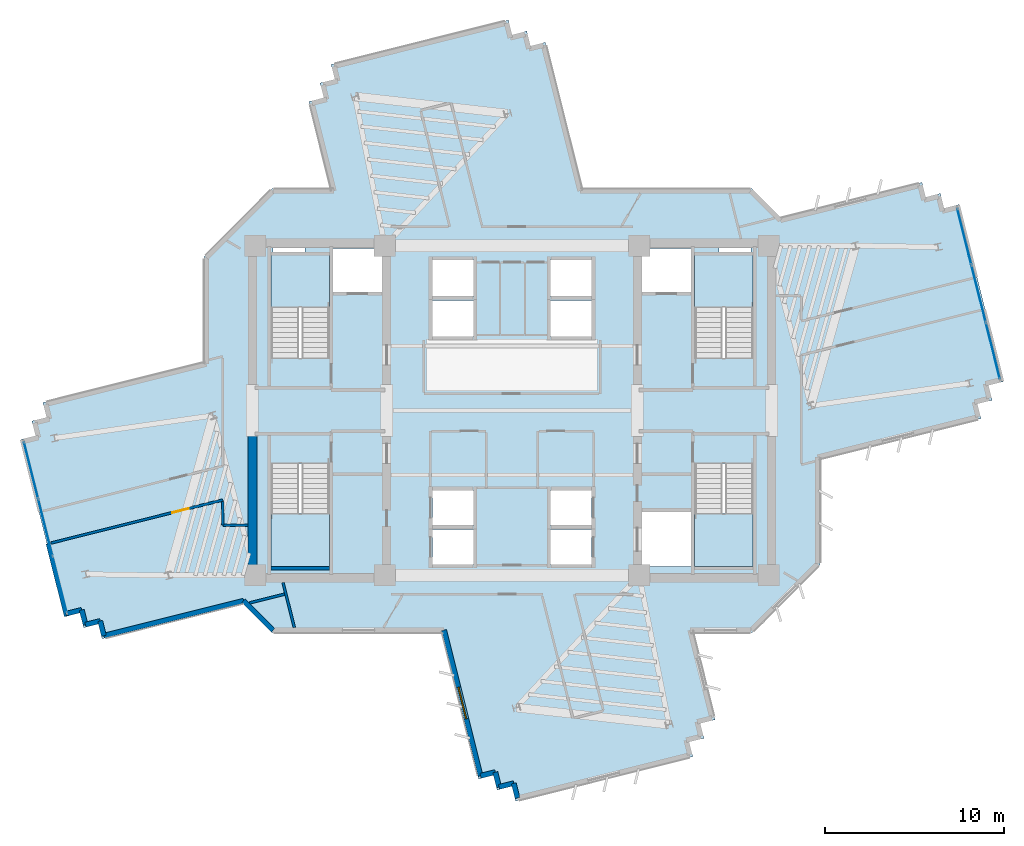
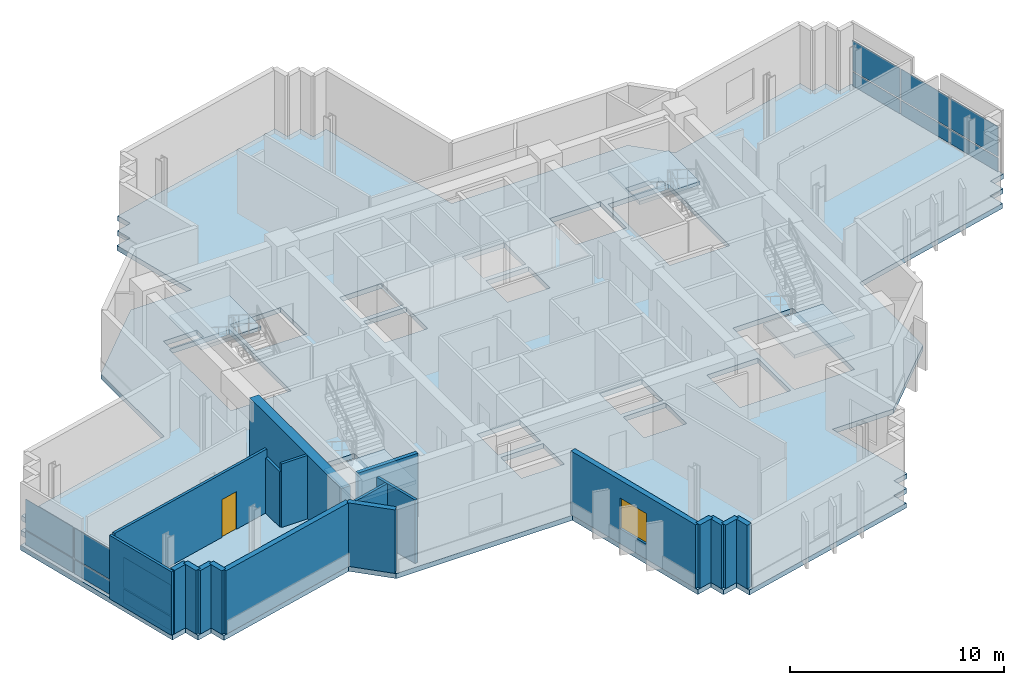
# One storey, part 5 of 13: 19 walls, 12 plates, 5 slabs, 1 door, 1 window, 2 openings, 6 elements without a shape of their own.
"""IFC4 building model written with IfcOpenShell, lengths in metres."""

from ifc_helpers import new_model, si_unit, direction, frame, frame_2d, origin, origin_2d, place, context, subcontext, project, spatial, polyline, rectangle, outline, extrude, source, transform, mapped, material, layer, layer_set, type_object, element, fill, aggregate, save


model = new_model("IFC4")

# Units and contexts
model_context = context("Model", 3, precision=1e-05, world=origin(), true_north=direction((0.0, 1.0)))
body_context = subcontext(model_context, "Body", "Model", "MODEL_VIEW")
ifc_project = project(units=[si_unit("LENGTHUNIT", "METRE"), si_unit("AREAUNIT", "SQUARE_METRE"), si_unit("VOLUMEUNIT", "CUBIC_METRE"), si_unit("PLANEANGLEUNIT", "RADIAN"), si_unit("MASSUNIT", "GRAM", prefix="KILO")], contexts=[model_context])

# Site, building, storey
site_placement = place(None, origin())
site = spatial("IfcSite", under=ifc_project, at=site_placement, CompositionType="ELEMENT")
building_placement = place(site_placement, origin())
building = spatial("IfcBuilding", under=site, at=building_placement, Name="Zahravan Cultural Tower", CompositionType="ELEMENT")
storey_placement = place(building_placement, frame((0.0, 0.0, 190.199951171875)))
storey = spatial("IfcBuildingStorey", under=building, at=storey_placement, Name="L44", CompositionType="ELEMENT", Elevation=190.199951171875)

# Slab
ifc_material_1 = material(Name="Concrete C45/55", Category="concrete")
ifc_layer_1 = layer(ifc_material_1, 0.280029296875)
ifc_layer_set_1 = layer_set([ifc_layer_1], Name="Concrete C45/55")
slab_type_1 = type_object("IfcSlabType", Name="SL-LIB-280", PredefinedType="FLOOR", material=ifc_layer_set_1)
slab_1_placement = place(storey_placement, frame((0.0, 0.0, -0.280029296875)))
element("IfcSlab", 1, at=slab_1_placement, inside=storey, type_object=slab_type_1, Name="L44 Structural Floor Slab", PredefinedType="FLOOR", context=body_context, shape_type="SweptSolid", body=[
    extrude(outline(polyline([(51.026611328125, 37.773193359375), (49.39990234375, 39.39990234375), (39.904541015625, 39.39990234375), (37.85888671875, 47.56787109375), (37.034423828125, 47.361328125), (36.827880859375, 48.185791015625), (36.00341796875, 47.979248046875), (35.796875, 48.803955078125), (25.902587890625, 46.325927734375), (26.10888671875, 45.50146484375), (25.284423828125, 45.294921875), (25.490966796875, 44.47021484375), (24.66650390625, 44.263916015625), (25.884521484375, 39.39990234375), (22.60009765625, 39.39990234375), (18.800048828125, 35.60009765625), (18.800048828125, 29.702392578125), (9.805908203125, 27.449951171875), (10.012451171875, 26.62548828125), (9.18798828125, 26.4189453125), (9.394287109375, 25.594482421875), (8.56982421875, 25.387939453125), (11.0478515625, 15.493408203125), (11.872314453125, 15.699951171875), (12.078857421875, 14.87548828125), (12.9033203125, 15.081787109375), (13.10986328125, 14.25732421875), (20.973388671875, 16.226806640625), (22.60009765625, 14.60009765625), (32.095458984375, 14.60009765625), (34.14111328125, 6.43212890625), (34.965576171875, 6.638671875), (35.172119140625, 5.814208984375), (35.99658203125, 6.020751953125), (36.203125, 5.196044921875), (46.097412109375, 7.674072265625), (45.89111328125, 8.49853515625), (46.715576171875, 8.705078125), (46.509033203125, 9.52978515625), (47.33349609375, 9.736083984375), (46.115478515625, 14.60009765625), (49.39990234375, 14.60009765625), (53.199951171875, 18.39990234375), (53.199951171875, 24.297607421875), (62.194091796875, 26.550048828125), (61.987548828125, 27.37451171875), (62.81201171875, 27.5810546875), (62.605712890625, 28.405517578125), (63.43017578125, 28.612060546875), (60.9521484375, 38.506591796875), (60.127685546875, 38.300048828125), (59.921142578125, 39.12451171875), (59.0966796875, 38.918212890625), (58.89013671875, 39.74267578125), (51.026611328125, 37.773193359375)]), holes=[polyline([(22.550048828125, 29.949951171875), (22.550048828125, 35.699951171875), (25.800048828125, 35.699951171875), (25.800048828125, 29.949951171875), (22.550048828125, 29.949951171875)]), polyline([(22.550048828125, 18.300048828125), (22.550048828125, 24.050048828125), (25.800048828125, 24.050048828125), (25.800048828125, 18.300048828125), (22.550048828125, 18.300048828125)]), polyline([(46.199951171875, 29.949951171875), (46.199951171875, 35.699951171875), (49.449951171875, 35.699951171875), (49.449951171875, 29.949951171875), (46.199951171875, 29.949951171875)]), polyline([(46.199951171875, 18.300048828125), (46.199951171875, 24.050048828125), (49.449951171875, 24.050048828125), (49.449951171875, 18.300048828125), (46.199951171875, 18.300048828125)]), polyline([(26.0, 33.60009765625), (26.0, 36.050048828125), (28.75, 36.050048828125), (28.75, 33.60009765625), (26.0, 33.60009765625)]), polyline([(43.25, 33.60009765625), (43.25, 36.050048828125), (46.0, 36.050048828125), (46.0, 33.60009765625), (43.25, 33.60009765625)]), polyline([(43.25, 18.300048828125), (43.25, 21.35009765625), (46.0, 21.35009765625), (46.0, 18.300048828125), (43.25, 18.300048828125)]), polyline([(31.550048828125, 33.39990234375), (31.550048828125, 35.39990234375), (33.85009765625, 35.39990234375), (33.85009765625, 33.39990234375), (31.550048828125, 33.39990234375)]), polyline([(31.550048828125, 31.14990234375), (31.550048828125, 33.14990234375), (33.85009765625, 33.14990234375), (33.85009765625, 31.14990234375), (31.550048828125, 31.14990234375)]), polyline([(38.14990234375, 33.39990234375), (38.14990234375, 35.39990234375), (40.449951171875, 35.39990234375), (40.449951171875, 33.39990234375), (38.14990234375, 33.39990234375)]), polyline([(38.14990234375, 31.14990234375), (38.14990234375, 33.14990234375), (40.449951171875, 33.14990234375), (40.449951171875, 31.14990234375), (38.14990234375, 31.14990234375)]), polyline([(31.550048828125, 20.60009765625), (31.550048828125, 22.550048828125), (33.85009765625, 22.550048828125), (33.85009765625, 20.60009765625), (31.550048828125, 20.60009765625)]), polyline([(31.550048828125, 18.39990234375), (31.550048828125, 20.35009765625), (33.85009765625, 20.35009765625), (33.85009765625, 18.39990234375), (31.550048828125, 18.39990234375)]), polyline([(38.14990234375, 20.60009765625), (38.14990234375, 22.550048828125), (40.449951171875, 22.550048828125), (40.449951171875, 20.60009765625), (38.14990234375, 20.60009765625)]), polyline([(38.14990234375, 18.39990234375), (38.14990234375, 20.35009765625), (40.449951171875, 20.35009765625), (40.449951171875, 18.39990234375), (38.14990234375, 18.39990234375)]), polyline([(22.64990234375, 35.800048828125), (22.64990234375, 36.419921875), (24.449951171875, 36.419921875), (24.449951171875, 35.800048828125), (22.64990234375, 35.800048828125)]), polyline([(47.550048828125, 35.800048828125), (47.550048828125, 36.419921875), (49.35009765625, 36.419921875), (49.35009765625, 35.800048828125), (47.550048828125, 35.800048828125)])]), origin(), (0.0, 0.0, 1.0), 0.280029296875),
])

# Stair, slab
stair_type = type_object("IfcStairType", Name="STR-DL-1550-390", PredefinedType="HALF_TURN_STAIR", material=ifc_material_1)
stair_1_placement = place(storey_placement, origin())
stair_1 = element("IfcStair", 2, at=stair_1_placement, inside=storey, type_object=stair_type, Name="L44 West Core North Exit Stair ST-W1", PredefinedType="HALF_TURN_STAIR")
ifc_layer_2 = layer(ifc_material_1, 0.199951171875)
ifc_layer_set_2 = layer_set([ifc_layer_2], Name="Concrete C45/55")
slab_type_2 = type_object("IfcSlabType", Name="SL-STAIR-LND200", PredefinedType="LANDING", material=ifc_layer_set_2)
slab_2_placement = place(storey_placement, frame((0.0, 0.0, 1.75)))
slab_2 = element("IfcSlab", 3, at=slab_2_placement, type_object=slab_type_2, Name="ST-W1 landing 1", PredefinedType="LANDING", context=body_context, shape_type="SweptSolid", body=[
    extrude(outline(polyline([(25.800048828125, 32.75), (25.800048828125, 35.699951171875), (22.550048828125, 35.699951171875), (22.550048828125, 32.75), (25.800048828125, 32.75)])), origin(), (0.0, 0.0, 1.0), 0.199951171875),
])
aggregate(stair_1, [slab_2])

stair_2_placement = place(storey_placement, origin())
stair_2 = element("IfcStair", 4, at=stair_2_placement, inside=storey, type_object=stair_type, Name="L44 West Core South Exit Stair ST-W2", PredefinedType="HALF_TURN_STAIR")
slab_3_placement = place(storey_placement, frame((0.0, 0.0, 1.75)))
slab_3 = element("IfcSlab", 5, at=slab_3_placement, type_object=slab_type_2, Name="ST-W2 landing 1", PredefinedType="LANDING", context=body_context, shape_type="SweptSolid", body=[
    extrude(outline(polyline([(22.550048828125, 21.25), (22.550048828125, 18.300048828125), (25.800048828125, 18.300048828125), (25.800048828125, 21.25), (22.550048828125, 21.25)])), origin(), (0.0, 0.0, 1.0), 0.199951171875),
])
aggregate(stair_2, [slab_3])

stair_3_placement = place(storey_placement, origin())
stair_3 = element("IfcStair", 6, at=stair_3_placement, inside=storey, type_object=stair_type, Name="L44 East Core North Exit Stair ST-E1", PredefinedType="HALF_TURN_STAIR")
slab_4_placement = place(storey_placement, frame((0.0, 0.0, 1.75)))
slab_4 = element("IfcSlab", 7, at=slab_4_placement, type_object=slab_type_2, Name="ST-E1 landing 1", PredefinedType="LANDING", context=body_context, shape_type="SweptSolid", body=[
    extrude(outline(polyline([(49.449951171875, 32.75), (49.449951171875, 35.699951171875), (46.199951171875, 35.699951171875), (46.199951171875, 32.75), (49.449951171875, 32.75)])), origin(), (0.0, 0.0, 1.0), 0.199951171875),
])
aggregate(stair_3, [slab_4])

stair_4_placement = place(storey_placement, origin())
stair_4 = element("IfcStair", 8, at=stair_4_placement, inside=storey, type_object=stair_type, Name="L44 East Core South Exit Stair ST-E2", PredefinedType="HALF_TURN_STAIR")
slab_5_placement = place(storey_placement, frame((0.0, 0.0, 1.75)))
slab_5 = element("IfcSlab", 9, at=slab_5_placement, type_object=slab_type_2, Name="ST-E2 landing 1", PredefinedType="LANDING", context=body_context, shape_type="SweptSolid", body=[
    extrude(outline(polyline([(46.199951171875, 21.25), (46.199951171875, 18.300048828125), (49.449951171875, 18.300048828125), (49.449951171875, 21.25), (46.199951171875, 21.25)])), origin(), (0.0, 0.0, 1.0), 0.199951171875),
])
aggregate(stair_4, [slab_5])

# Curtain wall, plates
ifc_material_2 = material(Name="Anodised bronze-aluminium mullion", Category="aluminium")
ifc_layer_3 = layer(ifc_material_2, 0.199951171875)
ifc_layer_set_3 = layer_set([ifc_layer_3], Name="Anodised bronze-aluminium mullion")
curtain_wall_type_1 = type_object("IfcCurtainWallType", Name="CW-SYS-2", PredefinedType="USERDEFINED", material=ifc_layer_set_3)
curtain_wall_1_placement = place(storey_placement, origin())
curtain_wall_1 = element("IfcCurtainWall", 10, at=curtain_wall_1_placement, inside=storey, type_object=curtain_wall_type_1, Name="L44 Recessed Curtain Wall CW-2.1", ObjectType="RECESSED GLAZING", PredefinedType="USERDEFINED")
ifc_material_3 = material(Name="Low-E solar-control double glazing", Category="glass")
ifc_layer_4 = layer(ifc_material_3, 0.030029296875)
ifc_layer_set_4 = layer_set([ifc_layer_4], Name="Low-E solar-control double glazing")
plate_type_1 = type_object("IfcPlateType", Name="CWP-CW-2", PredefinedType="CURTAIN_PANEL", material=ifc_layer_set_4)
shared_shape_1 = source(origin(), body_context, "Body", "SweptSolid", [
    extrude(rectangle(XDim=3.194091796875, YDim=0.030029296875, at=origin_2d()), origin(), (0.0, 0.0, 1.0), 0.78759765625),
])
plate_1_placement = place(storey_placement, frame((61.256591796875, 36.714599609375, 0.074951171875), z_axis=(0.0, 0.0, 1.0), x_axis=(0.242943573269, -0.970040421945, 0.0)))
plate_1 = element("IfcPlate", 11, at=plate_1_placement, type_object=plate_type_1, Name="CW-2 panel 1.1", PredefinedType="CURTAIN_PANEL", context=body_context, shape_type="MappedRepresentation", body=[
    mapped(shared_shape_1, transform((0.0, 0.0, 0.0), x_axis=(1.0, 0.0, 0.0), y_axis=(0.0, 1.0, 0.0), z_axis=(0.0, 0.0, 1.0), scale=1.0)),
])
plate_2_placement = place(storey_placement, frame((62.85400390625, 30.3359375, 0.074951171875), z_axis=(0.0, 0.0, 1.0), x_axis=(0.242943573269, -0.970040421945, 0.0)))
plate_2 = element("IfcPlate", 12, at=plate_2_placement, type_object=plate_type_1, Name="CW-2 panel 3.1", PredefinedType="CURTAIN_PANEL", context=body_context, shape_type="MappedRepresentation", body=[
    mapped(shared_shape_1, transform((0.0, 0.0, 0.0), x_axis=(1.0, 0.0, 0.0), y_axis=(0.0, 1.0, 0.0), z_axis=(0.0, 0.0, 1.0), scale=1.0)),
])
shared_shape_2 = source(origin(), body_context, "Body", "SweptSolid", [
    extrude(rectangle(XDim=3.231689453125, YDim=0.030029296875, at=origin_2d()), origin(), (0.0, 0.0, 1.0), 0.78759765625),
])
plate_3_placement = place(storey_placement, frame((62.055419921875, 33.525390625, 0.074951171875), z_axis=(0.0, 0.0, 1.0), x_axis=(0.242943573269, -0.970040421945, 0.0)))
plate_3 = element("IfcPlate", 13, at=plate_3_placement, type_object=plate_type_1, Name="CW-2 panel 2.1", PredefinedType="CURTAIN_PANEL", context=body_context, shape_type="MappedRepresentation", body=[
    mapped(shared_shape_2, transform((0.0, 0.0, 0.0), x_axis=(1.0, 0.0, 0.0), y_axis=(0.0, 1.0, 0.0), z_axis=(0.0, 0.0, 1.0), scale=1.0)),
])
shared_shape_3 = source(origin(), body_context, "Body", "SweptSolid", [
    extrude(rectangle(XDim=3.194091796875, YDim=0.030029296875, at=origin_2d()), origin(), (0.0, 0.0, 1.0), 1.7275390625),
])
plate_4_placement = place(storey_placement, frame((61.256591796875, 36.714599609375, 0.9375), z_axis=(0.0, 0.0, 1.0), x_axis=(0.242943573269, -0.970040421945, 0.0)))
plate_4 = element("IfcPlate", 14, at=plate_4_placement, type_object=plate_type_1, Name="CW-2 panel 1.2", PredefinedType="CURTAIN_PANEL", context=body_context, shape_type="MappedRepresentation", body=[
    mapped(shared_shape_3, transform((0.0, 0.0, 0.0), x_axis=(1.0, 0.0, 0.0), y_axis=(0.0, 1.0, 0.0), z_axis=(0.0, 0.0, 1.0), scale=1.0)),
])
plate_5_placement = place(storey_placement, frame((62.85400390625, 30.3359375, 0.9375), z_axis=(0.0, 0.0, 1.0), x_axis=(0.242943573269, -0.970040421945, 0.0)))
plate_5 = element("IfcPlate", 15, at=plate_5_placement, type_object=plate_type_1, Name="CW-2 panel 3.2", PredefinedType="CURTAIN_PANEL", context=body_context, shape_type="MappedRepresentation", body=[
    mapped(shared_shape_3, transform((0.0, 0.0, 0.0), x_axis=(1.0, 0.0, 0.0), y_axis=(0.0, 1.0, 0.0), z_axis=(0.0, 0.0, 1.0), scale=1.0)),
])
shared_shape_4 = source(origin(), body_context, "Body", "SweptSolid", [
    extrude(rectangle(XDim=3.231689453125, YDim=0.030029296875, at=origin_2d()), origin(), (0.0, 0.0, 1.0), 1.7275390625),
])
plate_6_placement = place(storey_placement, frame((62.055419921875, 33.525390625, 0.9375), z_axis=(0.0, 0.0, 1.0), x_axis=(0.242943573269, -0.970040421945, 0.0)))
plate_6 = element("IfcPlate", 16, at=plate_6_placement, type_object=plate_type_1, Name="CW-2 panel 2.2", PredefinedType="CURTAIN_PANEL", context=body_context, shape_type="MappedRepresentation", body=[
    mapped(shared_shape_4, transform((0.0, 0.0, 0.0), x_axis=(1.0, 0.0, 0.0), y_axis=(0.0, 1.0, 0.0), z_axis=(0.0, 0.0, 1.0), scale=1.0)),
])
aggregate(curtain_wall_1, [plate_1, plate_4, plate_3, plate_6, plate_2, plate_5])

ifc_layer_5 = layer(ifc_material_2, 0.179931640625)
ifc_layer_set_5 = layer_set([ifc_layer_5], Name="Anodised bronze-aluminium mullion")
curtain_wall_type_2 = type_object("IfcCurtainWallType", Name="CW-SYS-3", PredefinedType="USERDEFINED", material=ifc_layer_set_5)
curtain_wall_2_placement = place(storey_placement, origin())
curtain_wall_2 = element("IfcCurtainWall", 17, at=curtain_wall_2_placement, inside=storey, type_object=curtain_wall_type_2, Name="L44 Recessed Curtain Wall CW-3.2", ObjectType="RECESSED GLAZING", PredefinedType="USERDEFINED")
ifc_layer_6 = layer(ifc_material_3, 0.028076171875)
ifc_layer_set_6 = layer_set([ifc_layer_6], Name="Low-E solar-control double glazing")
plate_type_2 = type_object("IfcPlateType", Name="CWP-CW-3", PredefinedType="CURTAIN_PANEL", material=ifc_layer_set_6)
shared_shape_5 = source(origin(), body_context, "Body", "SweptSolid", [
    extrude(rectangle(XDim=3.20166015625, YDim=0.028076171875, at=origin_2d()), origin(), (0.0, 0.0, 1.0), 0.794921875),
])
plate_7_placement = place(storey_placement, frame((10.743896484375, 17.2841796875, 0.070068359375), z_axis=(0.0, 0.0, 1.0), x_axis=(-0.242943573269, 0.970040421945, 0.0)))
plate_7 = element("IfcPlate", 18, at=plate_7_placement, type_object=plate_type_2, Name="CW-3 panel 1.1", PredefinedType="CURTAIN_PANEL", context=body_context, shape_type="MappedRepresentation", body=[
    mapped(shared_shape_5, transform((0.0, 0.0, 0.0), x_axis=(1.0, 0.0, 0.0), y_axis=(0.0, 1.0, 0.0), z_axis=(0.0, 0.0, 1.0), scale=1.0)),
])
plate_8_placement = place(storey_placement, frame((9.1455078125, 23.665283203125, 0.070068359375), z_axis=(0.0, 0.0, 1.0), x_axis=(-0.242943573269, 0.970040421945, 0.0)))
plate_8 = element("IfcPlate", 19, at=plate_8_placement, type_object=plate_type_2, Name="CW-3 panel 3.1", PredefinedType="CURTAIN_PANEL", context=body_context, shape_type="MappedRepresentation", body=[
    mapped(shared_shape_5, transform((0.0, 0.0, 0.0), x_axis=(1.0, 0.0, 0.0), y_axis=(0.0, 1.0, 0.0), z_axis=(0.0, 0.0, 1.0), scale=1.0)),
])
shared_shape_6 = source(origin(), body_context, "Body", "SweptSolid", [
    extrude(rectangle(XDim=3.20166015625, YDim=0.028076171875, at=origin_2d()), origin(), (0.0, 0.0, 1.0), 1.735107421875),
])
plate_9_placement = place(storey_placement, frame((10.743896484375, 17.2841796875, 0.93505859375), z_axis=(0.0, 0.0, 1.0), x_axis=(-0.242943573269, 0.970040421945, 0.0)))
plate_9 = element("IfcPlate", 20, at=plate_9_placement, type_object=plate_type_2, Name="CW-3 panel 1.2", PredefinedType="CURTAIN_PANEL", context=body_context, shape_type="MappedRepresentation", body=[
    mapped(shared_shape_6, transform((0.0, 0.0, 0.0), x_axis=(1.0, 0.0, 0.0), y_axis=(0.0, 1.0, 0.0), z_axis=(0.0, 0.0, 1.0), scale=1.0)),
])
plate_10_placement = place(storey_placement, frame((9.1455078125, 23.665283203125, 0.93505859375), z_axis=(0.0, 0.0, 1.0), x_axis=(-0.242943573269, 0.970040421945, 0.0)))
plate_10 = element("IfcPlate", 21, at=plate_10_placement, type_object=plate_type_2, Name="CW-3 panel 3.2", PredefinedType="CURTAIN_PANEL", context=body_context, shape_type="MappedRepresentation", body=[
    mapped(shared_shape_6, transform((0.0, 0.0, 0.0), x_axis=(1.0, 0.0, 0.0), y_axis=(0.0, 1.0, 0.0), z_axis=(0.0, 0.0, 1.0), scale=1.0)),
])
shared_shape_7 = source(origin(), body_context, "Body", "SweptSolid", [
    extrude(rectangle(XDim=3.236572265625, YDim=0.028076171875, at=origin_2d()), origin(), (0.0, 0.0, 1.0), 0.794921875),
])
plate_11_placement = place(storey_placement, frame((9.944580078125, 20.474609375, 0.070068359375), z_axis=(0.0, 0.0, 1.0), x_axis=(-0.242943573269, 0.970040421945, 0.0)))
plate_11 = element("IfcPlate", 22, at=plate_11_placement, type_object=plate_type_2, Name="CW-3 panel 2.1", PredefinedType="CURTAIN_PANEL", context=body_context, shape_type="MappedRepresentation", body=[
    mapped(shared_shape_7, transform((0.0, 0.0, 0.0), x_axis=(1.0, 0.0, 0.0), y_axis=(0.0, 1.0, 0.0), z_axis=(0.0, 0.0, 1.0), scale=1.0)),
])
shared_shape_8 = source(origin(), body_context, "Body", "SweptSolid", [
    extrude(rectangle(XDim=3.236572265625, YDim=0.028076171875, at=origin_2d()), origin(), (0.0, 0.0, 1.0), 1.735107421875),
])
plate_12_placement = place(storey_placement, frame((9.944580078125, 20.474609375, 0.93505859375), z_axis=(0.0, 0.0, 1.0), x_axis=(-0.242943573269, 0.970040421945, 0.0)))
plate_12 = element("IfcPlate", 23, at=plate_12_placement, type_object=plate_type_2, Name="CW-3 panel 2.2", PredefinedType="CURTAIN_PANEL", context=body_context, shape_type="MappedRepresentation", body=[
    mapped(shared_shape_8, transform((0.0, 0.0, 0.0), x_axis=(1.0, 0.0, 0.0), y_axis=(0.0, 1.0, 0.0), z_axis=(0.0, 0.0, 1.0), scale=1.0)),
])
aggregate(curtain_wall_2, [plate_7, plate_9, plate_11, plate_12, plate_8, plate_10])

# Wall, opening, window
ifc_material_4 = material(Name="Precast concrete C40/50", Category="concrete")
ifc_layer_7 = layer(ifc_material_4, 0.280029296875)
ifc_layer_set_7 = layer_set([ifc_layer_7], Name="Precast concrete C40/50")
wall_type_1 = type_object("IfcWallType", Name="EW-TC-280", PredefinedType="SOLIDWALL", material=ifc_layer_set_7)
wall_1_placement = place(storey_placement, frame((34.242919921875, 6.60205078125, 0.0), z_axis=(0.0, 0.0, 1.0), x_axis=(-0.242939601766, 0.970041416587, 0.0)))
wall_1 = element("IfcWall", 24, at=wall_1_placement, inside=storey, type_object=wall_type_1, Name="L44 Exterior Masonry Frame Wall 24", PredefinedType="SOLIDWALL", context=body_context, shape_type="SweptSolid", body=[
    extrude(rectangle(XDim=8.38916015625, YDim=0.280029296875, at=frame_2d((4.194580078125, 0.0))), origin(), (0.0, 0.0, 1.0), 3.6201171875),
])
opening_1_placement = place(wall_1_placement, frame((3.294921875, 0.0, 0.85009765625)))
opening_1 = element("IfcOpeningElement", 25, at=opening_1_placement, cuts=wall_1, Name="Opening WN-02", PredefinedType="OPENING", context=body_context, shape_type="SweptSolid", body=[
    extrude(rectangle(XDim=1.800048828125, YDim=1.75, at=frame_2d((0.89990234375, 0.875))), frame((0.0, 0.14990234375, 0.0), z_axis=(0.0, -1.0, 0.0), x_axis=(1.0, 0.0, 0.0)), (0.0, 0.0, 1.0), 0.300048828125),
])
window_type = type_object("IfcWindowType", Name="WN-REC-1800X1750", PartitioningType="DOUBLE_PANEL_VERTICAL", PredefinedType="WINDOW", material=ifc_material_3)
shared_shape_9 = source(origin(), body_context, "Body", "SweptSolid", [
    extrude(rectangle(XDim=1.800048828125, YDim=1.75, at=frame_2d((0.89990234375, 0.875))), frame((0.0, 0.030029296875, 0.0), z_axis=(0.0, -1.0, 0.0), x_axis=(1.0, 0.0, 0.0)), (0.0, 0.0, 1.0), 0.06005859375),
])
window_placement = place(opening_1_placement, origin())
window = element("IfcWindow", 26, at=window_placement, inside=storey, type_object=window_type, Name="L44 Recessed Solar Window 07", OverallHeight=1.75, OverallWidth=1.800048828125, PartitioningType="DOUBLE_PANEL_VERTICAL", PredefinedType="WINDOW", context=body_context, shape_type="MappedRepresentation", body=[
    mapped(shared_shape_9, transform((0.0, 0.0, 0.0), x_axis=(1.0, 0.0, 0.0), y_axis=(0.0, 1.0, 0.0), z_axis=(0.0, 0.0, 1.0), scale=1.0)),
])
fill(opening_1, window)

# Wall, opening, door
ifc_material_5 = material(Name="Gypsum plasterboard partition")
ifc_layer_8 = layer(ifc_material_5, 0.139892578125)
ifc_layer_set_8 = layer_set([ifc_layer_8], Name="Gypsum plasterboard partition")
wall_type_2 = type_object("IfcWallType", Name="W-PART-140", PredefinedType="PARTITIONING", material=ifc_layer_set_8)
wall_2_placement = place(storey_placement, frame((10.260498046875, 19.60546875, 0.0), z_axis=(0.0, 0.0, 1.0), x_axis=(0.970042179759, 0.242936554451, 0.0)))
wall_2 = element("IfcWall", 27, at=wall_2_placement, inside=storey, type_object=wall_type_2, Name="L44 Interior Wall 087", PredefinedType="PARTITIONING", context=body_context, shape_type="SweptSolid", body=[
    extrude(rectangle(XDim=9.8857421875, YDim=0.139892578125, at=frame_2d((4.94287109375, 0.0))), origin(), (0.0, 0.0, 1.0), 3.6201171875),
])
opening_2_placement = place(wall_2_placement, frame((6.969970703125, 0.0, 0.0)))
opening_2 = element("IfcOpeningElement", 28, at=opening_2_placement, cuts=wall_2, Name="Opening D-L44-22", PredefinedType="OPENING", context=body_context, shape_type="SweptSolid", body=[
    extrude(rectangle(XDim=0.949951171875, YDim=2.14990234375, at=frame_2d((0.47509765625, 1.074951171875))), frame((0.0, 0.079833984375, 0.0), z_axis=(0.0, -1.0, 0.0), x_axis=(1.0, 0.0, 0.0)), (0.0, 0.0, 1.0), 0.159912109375),
])
door_type = type_object("IfcDoorType", Name="DR-ROOM-950", OperationType="NOTDEFINED", PredefinedType="DOOR", material=ifc_material_2)
shared_shape_10 = source(origin(), body_context, "Body", "SweptSolid", [
    extrude(rectangle(XDim=0.949951171875, YDim=2.14990234375, at=frame_2d((0.47509765625, 1.074951171875))), frame((0.0, 0.02490234375, 0.0), z_axis=(0.0, -1.0, 0.0), x_axis=(1.0, 0.0, 0.0)), (0.0, 0.0, 1.0), 0.050048828125),
])
door_placement = place(opening_2_placement, origin())
door = element("IfcDoor", 29, at=door_placement, inside=storey, type_object=door_type, Name="L44 Door D-L44-22", OperationType="SINGLE_SWING_LEFT", OverallHeight=2.14990234375, OverallWidth=0.949951171875, PredefinedType="DOOR", context=body_context, shape_type="MappedRepresentation", body=[
    mapped(shared_shape_10, transform((0.0, 0.0, 0.0), x_axis=(1.0, 0.0, 0.0), y_axis=(0.0, 1.0, 0.0), z_axis=(0.0, 0.0, 1.0), scale=1.0)),
])
fill(opening_2, door)

# Walls
ifc_material_6 = material(Name="Concrete C60/75", Category="concrete")
ifc_layer_9 = layer(ifc_material_6, 0.5)
ifc_layer_set_9 = layer_set([ifc_layer_9], Name="Concrete C60/75")
wall_type_3 = type_object("IfcWallType", Name="CW-SHEAR-500-C60", PredefinedType="SHEAR", material=ifc_layer_set_9)
shared_shape_11 = source(origin(), body_context, "Body", "SweptSolid", [
    extrude(rectangle(XDim=8.550048828125, YDim=0.5, at=frame_2d((4.27490234375, 0.0))), origin(), (0.0, 0.0, 1.0), 3.6201171875),
])
wall_3_placement = place(storey_placement, frame((21.5, 17.39990234375, 0.0), z_axis=(0.0, 0.0, 1.0), x_axis=(0.0, 1.0, 0.0)))
element("IfcWall", 30, at=wall_3_placement, inside=storey, type_object=wall_type_3, Name="L44 Core Shear Wall CW-W-WS-L44", PredefinedType="SHEAR", context=body_context, shape_type="MappedRepresentation", body=[
    mapped(shared_shape_11, transform((0.0, 0.0, 0.0), x_axis=(1.0, 0.0, 0.0), y_axis=(0.0, 1.0, 0.0), z_axis=(0.0, 0.0, 1.0), scale=1.0)),
])
shared_shape_12 = source(origin(), body_context, "Body", "SweptSolid", [
    extrude(rectangle(XDim=0.85009765625, YDim=0.280029296875, at=frame_2d((0.425048828125, 0.0))), origin(), (0.0, 0.0, 1.0), 3.6201171875),
])
for number, where, z_axis, x_axis, name in (
    (31, (36.098388671875, 6.1904296875, 0.0), (0.0, 0.0, 1.0), (-0.970041063326, -0.242941012307, 0.0), "L44 Exterior Masonry Frame Wall 21"),
    (32, (35.273681640625, 5.98388671875, 0.0), (0.0, 0.0, 1.0), (-0.242670768255, 0.970108704339, 0.0), "L44 Exterior Masonry Frame Wall 22"),
    (33, (12.1806640625, 15.045166015625, 0.0), (0.0, 0.0, 1.0), (-0.242941012307, 0.970041063326, 0.0), "L44 Exterior Masonry Frame Wall 30"),
):
    element("IfcWall", number, at=place(storey_placement, frame(where, z_axis=z_axis, x_axis=x_axis)), inside=storey, type_object=wall_type_1, Name=name, PredefinedType="SOLIDWALL", context=body_context, shape_type="MappedRepresentation", body=[
        mapped(shared_shape_12, transform((0.0, 0.0, 0.0), x_axis=(1.0, 0.0, 0.0), y_axis=(0.0, 1.0, 0.0), z_axis=(0.0, 0.0, 1.0), scale=1.0)),
    ])
shared_shape_13 = source(origin(), body_context, "Body", "SweptSolid", [
    extrude(rectangle(XDim=0.849853515625, YDim=0.280029296875, at=frame_2d((0.4248046875, 0.0))), origin(), (0.0, 0.0, 1.0), 3.6201171875),
])
for number, where, z_axis, x_axis, name in (
    (34, (36.304931640625, 5.365966796875, 0.0), (0.0, 0.0, 1.0), (-0.243008704507, 0.970024107708, 0.0), "L44 Exterior Masonry Frame Wall 20"),
    (35, (35.0673828125, 6.80859375, 0.0), (0.0, 0.0, 1.0), (-0.970024107708, -0.243008704507, 0.0), "L44 Exterior Masonry Frame Wall 23"),
    (36, (13.211669921875, 14.42724609375, 0.0), (0.0, 0.0, 1.0), (-0.243008704507, 0.970024107708, 0.0), "L44 Exterior Masonry Frame Wall 28"),
    (37, (13.005126953125, 15.251708984375, 0.0), (0.0, 0.0, 1.0), (-0.970024107708, -0.243008704507, 0.0), "L44 Exterior Masonry Frame Wall 29"),
    (38, (11.97412109375, 15.869873046875, 0.0), (0.0, 0.0, 1.0), (-0.970024107708, -0.243008704507, 0.0), "L44 Exterior Masonry Frame Wall 31"),
):
    element("IfcWall", number, at=place(storey_placement, frame(where, z_axis=z_axis, x_axis=x_axis)), inside=storey, type_object=wall_type_1, Name=name, PredefinedType="SOLIDWALL", context=body_context, shape_type="MappedRepresentation", body=[
        mapped(shared_shape_13, transform((0.0, 0.0, 0.0), x_axis=(1.0, 0.0, 0.0), y_axis=(0.0, 1.0, 0.0), z_axis=(0.0, 0.0, 1.0), scale=1.0)),
    ])
shared_shape_14 = source(origin(), body_context, "Body", "SweptSolid", [
    extrude(rectangle(XDim=2.322021484375, YDim=0.280029296875, at=frame_2d((1.1611328125, 0.0))), origin(), (0.0, 0.0, 1.0), 3.6201171875),
])
wall_4_placement = place(storey_placement, frame((22.657958984375, 14.739990234375, 0.0), z_axis=(0.0, 0.0, 1.0), x_axis=(-0.707106781187, 0.707106781187, 0.0)))
element("IfcWall", 39, at=wall_4_placement, inside=storey, type_object=wall_type_1, Name="L44 Exterior Masonry Frame Wall 26", PredefinedType="SOLIDWALL", context=body_context, shape_type="MappedRepresentation", body=[
    mapped(shared_shape_14, transform((0.0, 0.0, 0.0), x_axis=(1.0, 0.0, 0.0), y_axis=(0.0, 1.0, 0.0), z_axis=(0.0, 0.0, 1.0), scale=1.0)),
])
shared_shape_15 = source(origin(), body_context, "Body", "SweptSolid", [
    extrude(rectangle(XDim=8.04541015625, YDim=0.280029296875, at=frame_2d((4.022705078125, 0.0))), origin(), (0.0, 0.0, 1.0), 3.6201171875),
])
wall_5_placement = place(storey_placement, frame((21.01611328125, 16.3818359375, 0.0), z_axis=(0.0, 0.0, 1.0), x_axis=(-0.970040669564, -0.242942584557, 0.0)))
element("IfcWall", 40, at=wall_5_placement, inside=storey, type_object=wall_type_1, Name="L44 Exterior Masonry Frame Wall 27", PredefinedType="SOLIDWALL", context=body_context, shape_type="MappedRepresentation", body=[
    mapped(shared_shape_15, transform((0.0, 0.0, 0.0), x_axis=(1.0, 0.0, 0.0), y_axis=(0.0, 1.0, 0.0), z_axis=(0.0, 0.0, 1.0), scale=1.0)),
])
ifc_layer_10 = layer(ifc_material_1, 0.199951171875)
ifc_layer_set_10 = layer_set([ifc_layer_10], Name="Concrete C45/55")
wall_type_4 = type_object("IfcWallType", Name="W-SHAFT-200", PredefinedType="SOLIDWALL", material=ifc_layer_set_10)
shared_shape_16 = source(origin(), body_context, "Body", "SweptSolid", [
    extrude(rectangle(XDim=3.25, YDim=0.199951171875, at=frame_2d((1.625, 0.0))), origin(), (0.0, 0.0, 1.0), 3.6201171875),
])
wall_6_placement = place(storey_placement, frame((22.550048828125, 18.199951171875, 0.0), z_axis=(0.0, 0.0, 1.0), x_axis=(1.0, 0.0, 0.0)))
element("IfcWall", 41, at=wall_6_placement, inside=storey, type_object=wall_type_4, Name="L44 Interior Wall 019", PredefinedType="SOLIDWALL", context=body_context, shape_type="MappedRepresentation", body=[
    mapped(shared_shape_16, transform((0.0, 0.0, 0.0), x_axis=(1.0, 0.0, 0.0), y_axis=(0.0, 1.0, 0.0), z_axis=(0.0, 0.0, 1.0), scale=1.0)),
])
shared_shape_17 = source(origin(), body_context, "Body", "SweptSolid", [
    extrude(rectangle(XDim=4.16015625, YDim=0.139892578125, at=frame_2d((2.080078125, 0.0))), origin(), (0.0, 0.0, 1.0), 3.6201171875),
])
wall_7_placement = place(storey_placement, frame((11.0625, 15.517578125, 0.0), z_axis=(0.0, 0.0, 1.0), x_axis=(-0.242963670411, 0.970035388458, 0.0)))
element("IfcWall", 42, at=wall_7_placement, inside=storey, type_object=wall_type_2, Name="L44 Interior Wall 086", PredefinedType="PARTITIONING", context=body_context, shape_type="MappedRepresentation", body=[
    mapped(shared_shape_17, transform((0.0, 0.0, 0.0), x_axis=(1.0, 0.0, 0.0), y_axis=(0.0, 1.0, 0.0), z_axis=(0.0, 0.0, 1.0), scale=1.0)),
])
shared_shape_18 = source(origin(), body_context, "Body", "SweptSolid", [
    extrude(rectangle(XDim=1.39404296875, YDim=0.139892578125, at=frame_2d((0.697021484375, 0.0))), origin(), (0.0, 0.0, 1.0), 3.6201171875),
])
wall_8_placement = place(storey_placement, frame((19.85107421875, 20.60107421875, 0.0), z_axis=(0.0, 0.0, 1.0), x_axis=(0.999999754632, -0.000700525222, 0.0)))
element("IfcWall", 43, at=wall_8_placement, inside=storey, type_object=wall_type_2, Name="L44 Interior Wall 084", PredefinedType="PARTITIONING", context=body_context, shape_type="MappedRepresentation", body=[
    mapped(shared_shape_18, transform((0.0, 0.0, 0.0), x_axis=(1.0, 0.0, 0.0), y_axis=(0.0, 1.0, 0.0), z_axis=(0.0, 0.0, 1.0), scale=1.0)),
])
shared_shape_19 = source(origin(), body_context, "Body", "SweptSolid", [
    extrude(rectangle(XDim=2.587646484375, YDim=0.139892578125, at=frame_2d((1.2939453125, 0.0))), origin(), (0.0, 0.0, 1.0), 3.6201171875),
])
wall_9_placement = place(storey_placement, frame((23.843017578125, 14.885009765625, 0.0), z_axis=(0.0, 0.0, 1.0), x_axis=(-0.242957412811, 0.97003695577, 0.0)))
element("IfcWall", 44, at=wall_9_placement, inside=storey, type_object=wall_type_2, Name="L44 Interior Wall 073", PredefinedType="PARTITIONING", context=body_context, shape_type="MappedRepresentation", body=[
    mapped(shared_shape_19, transform((0.0, 0.0, 0.0), x_axis=(1.0, 0.0, 0.0), y_axis=(0.0, 1.0, 0.0), z_axis=(0.0, 0.0, 1.0), scale=1.0)),
])
shared_shape_20 = source(origin(), body_context, "Body", "SweptSolid", [
    extrude(rectangle(XDim=2.014404296875, YDim=0.139892578125, at=frame_2d((1.00732421875, 0.0))), origin(), (0.0, 0.0, 1.0), 3.6201171875),
])
wall_10_placement = place(storey_placement, frame((23.29931640625, 16.747314453125, 0.0), z_axis=(0.0, 0.0, 1.0), x_axis=(-0.970056889313, -0.242877811867, 0.0)))
element("IfcWall", 45, at=wall_10_placement, inside=storey, type_object=wall_type_2, Name="L44 Interior Wall 085", PredefinedType="PARTITIONING", context=body_context, shape_type="MappedRepresentation", body=[
    mapped(shared_shape_20, transform((0.0, 0.0, 0.0), x_axis=(1.0, 0.0, 0.0), y_axis=(0.0, 1.0, 0.0), z_axis=(0.0, 0.0, 1.0), scale=1.0)),
])
shared_shape_21 = source(origin(), body_context, "Body", "SweptSolid", [
    extrude(rectangle(XDim=1.32861328125, YDim=0.139892578125, at=frame_2d((0.664306640625, 0.0))), origin(), (0.0, 0.0, 1.0), 3.149169921875),
])
wall_11_placement = place(storey_placement, frame((19.85009765625, 21.9296875, 0.0), z_axis=(0.0, 0.0, 1.0), x_axis=(0.00073502369, -0.99999972987, 0.0)))
element("IfcWall", 46, at=wall_11_placement, inside=storey, type_object=wall_type_2, Name="L44 Interior Wall 088", PredefinedType="PARTITIONING", context=body_context, shape_type="MappedRepresentation", body=[
    mapped(shared_shape_21, transform((0.0, 0.0, 0.0), x_axis=(1.0, 0.0, 0.0), y_axis=(0.0, 1.0, 0.0), z_axis=(0.0, 0.0, 1.0), scale=1.0)),
])

save(model, "model.ifc")
